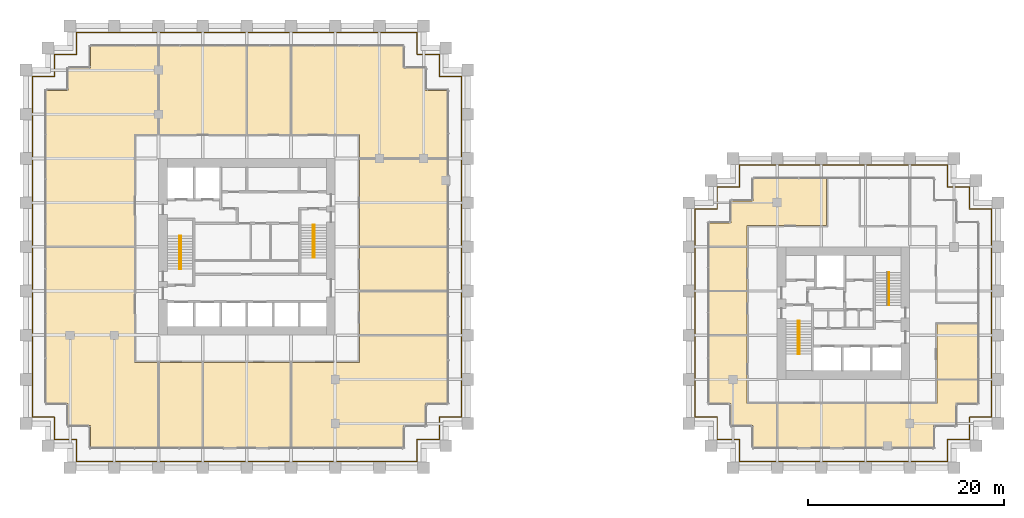
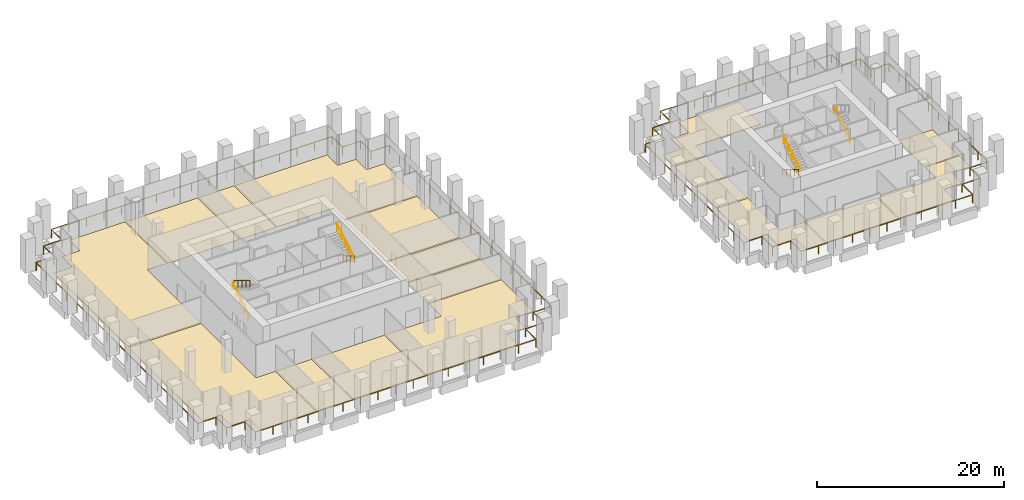
# One storey, part 35 of 36: 18 coverings, 9 railings.
"""IFC4 building model written with IfcOpenShell, lengths in metres."""

from ifc_helpers import new_model, si_unit, direction, frame, origin, origin_2d, place, context, subcontext, project, spatial, polyline, circle, outline, extrude, source, transform, mapped, material, layer, layer_set, type_object, element, save


model = new_model("IFC4")

# Units and contexts
model_context = context("Model", 3, precision=1e-05, world=origin(), true_north=direction((0.0, 1.0)))
body_context = subcontext(model_context, "Body", "Model", "MODEL_VIEW")
ifc_project = project(units=[si_unit("LENGTHUNIT", "METRE"), si_unit("AREAUNIT", "SQUARE_METRE"), si_unit("VOLUMEUNIT", "CUBIC_METRE"), si_unit("PLANEANGLEUNIT", "RADIAN"), si_unit("MASSUNIT", "GRAM", prefix="KILO")], contexts=[model_context])

# Site, building, storey
site_placement = place(None, origin())
site = spatial("IfcSite", under=ifc_project, at=site_placement, CompositionType="ELEMENT")
building_placement = place(site_placement, origin())
building = spatial("IfcBuilding", under=site, at=building_placement, Name="Altepetl Exchange Towers", CompositionType="ELEMENT")
storey_placement = place(building_placement, frame((0.0, 0.0, 38.60009765625)))
storey = spatial("IfcBuildingStorey", under=building, at=storey_placement, Name="L08", CompositionType="ELEMENT", Elevation=38.60009765625)

# Coverings
ifc_material_1 = material(Name="Carpet tile")
ifc_layer_1 = layer(ifc_material_1, 0.02001953125)
ifc_layer_set_1 = layer_set([ifc_layer_1], Name="Carpet tile")
covering_type_1 = type_object("IfcCoveringType", Name="Carpet tile floor", PredefinedType="FLOORING", material=ifc_layer_set_1)
covering_1_placement = place(storey_placement, origin())
element("IfcCovering", 1, at=covering_1_placement, inside=storey, type_object=covering_type_1, Name="Open office floor finish A08.01", PredefinedType="FLOORING", context=body_context, shape_type="SweptSolid", body=[
    extrude(outline(polyline([(40.4375, 29.0625), (40.4375, 37.737548828125), (38.03759765625, 37.737548828125), (38.03759765625, 49.4375), (29.0625, 49.4375), (29.0625, 33.5625), (31.3125, 33.5625), (31.3125, 31.3125), (33.5625, 31.3125), (33.5625, 29.0625), (40.4375, 29.0625)])), origin(), (0.0, 0.0, 1.0), 0.02001953125),
])
covering_2_placement = place(storey_placement, origin())
element("IfcCovering", 2, at=covering_2_placement, inside=storey, type_object=covering_type_1, Name="Pantry floor finish A08.02", PredefinedType="FLOORING", context=body_context, shape_type="SweptSolid", body=[
    extrude(outline(polyline([(44.9375, 29.0625), (44.9375, 37.737548828125), (40.5625, 37.737548828125), (40.5625, 29.0625), (44.9375, 29.0625)])), origin(), (0.0, 0.0, 1.0), 0.02001953125),
])
covering_3_placement = place(storey_placement, origin())
element("IfcCovering", 3, at=covering_3_placement, inside=storey, type_object=covering_type_1, Name="Huddle room floor finish A08.03", PredefinedType="FLOORING", context=body_context, shape_type="SweptSolid", body=[
    extrude(outline(polyline([(53.9375, 29.0625), (53.9375, 37.737548828125), (45.0625, 37.737548828125), (45.0625, 29.0625), (53.9375, 29.0625)])), origin(), (0.0, 0.0, 1.0), 0.02001953125),
])
covering_4_placement = place(storey_placement, origin())
element("IfcCovering", 4, at=covering_4_placement, inside=storey, type_object=covering_type_1, Name="Pantry floor finish A08.05", PredefinedType="FLOORING", context=body_context, shape_type="SweptSolid", body=[
    extrude(outline(polyline([(69.9375, 44.9375), (60.96240234375, 44.9375), (60.96240234375, 40.5625), (69.9375, 40.5625), (69.9375, 44.9375)])), origin(), (0.0, 0.0, 1.0), 0.02001953125),
])
covering_5_placement = place(storey_placement, origin())
element("IfcCovering", 5, at=covering_5_placement, inside=storey, type_object=covering_type_1, Name="Quiet room floor finish A08.06", PredefinedType="FLOORING", context=body_context, shape_type="SweptSolid", body=[
    extrude(outline(polyline([(69.9375, 49.4375), (60.96240234375, 49.4375), (60.96240234375, 45.0625), (69.9375, 45.0625), (69.9375, 49.4375)])), origin(), (0.0, 0.0, 1.0), 0.02001953125),
])
covering_6_placement = place(storey_placement, origin())
element("IfcCovering", 6, at=covering_6_placement, inside=storey, type_object=covering_type_1, Name="Huddle room floor finish A08.07", PredefinedType="FLOORING", context=body_context, shape_type="SweptSolid", body=[
    extrude(outline(polyline([(69.9375, 58.4375), (60.96240234375, 58.4375), (60.96240234375, 49.5625), (69.9375, 49.5625), (69.9375, 58.4375)])), origin(), (0.0, 0.0, 1.0), 0.02001953125),
])
covering_7_placement = place(storey_placement, origin())
element("IfcCovering", 7, at=covering_7_placement, inside=storey, type_object=covering_type_1, Name="Pantry floor finish A08.09", PredefinedType="FLOORING", context=body_context, shape_type="SweptSolid", body=[
    extrude(outline(polyline([(49.5625, 69.9375), (49.5625, 60.96240234375), (53.9375, 60.96240234375), (53.9375, 69.9375), (49.5625, 69.9375)])), origin(), (0.0, 0.0, 1.0), 0.02001953125),
])
covering_8_placement = place(storey_placement, origin())
element("IfcCovering", 8, at=covering_8_placement, inside=storey, type_object=covering_type_1, Name="Meeting room floor finish A08.10", PredefinedType="FLOORING", context=body_context, shape_type="SweptSolid", body=[
    extrude(outline(polyline([(40.5625, 69.9375), (40.5625, 60.96240234375), (49.4375, 60.96240234375), (49.4375, 69.9375), (40.5625, 69.9375)])), origin(), (0.0, 0.0, 1.0), 0.02001953125),
])
covering_9_placement = place(storey_placement, origin())
element("IfcCovering", 9, at=covering_9_placement, inside=storey, type_object=covering_type_1, Name="Interview room floor finish B08.01", PredefinedType="FLOORING", context=body_context, shape_type="SweptSolid", body=[
    extrude(outline(polyline([(100.4375, 40.4375), (96.5625, 40.4375), (96.5625, 33.5625), (98.8125, 33.5625), (98.8125, 31.3125), (101.0625, 31.3125), (101.0625, 29.0625), (103.4375, 29.0625), (103.4375, 33.53759765625), (100.4375, 33.53759765625), (100.4375, 40.4375)])), origin(), (0.0, 0.0, 1.0), 0.02001953125),
])
covering_10_placement = place(storey_placement, origin())
element("IfcCovering", 10, at=covering_10_placement, inside=storey, type_object=covering_type_1, Name="Meeting room floor finish B08.02", PredefinedType="FLOORING", context=body_context, shape_type="SweptSolid", body=[
    extrude(outline(polyline([(103.5625, 33.53759765625), (103.5625, 29.0625), (112.4375, 29.0625), (112.4375, 33.53759765625), (103.5625, 33.53759765625)])), origin(), (0.0, 0.0, 1.0), 0.02001953125),
])
covering_11_placement = place(storey_placement, origin())
element("IfcCovering", 11, at=covering_11_placement, inside=storey, type_object=covering_type_1, Name="Quiet room floor finish B08.04", PredefinedType="FLOORING", context=body_context, shape_type="SweptSolid", body=[
    extrude(outline(polyline([(119.762451171875, 41.637451171875), (119.762451171875, 36.0625), (123.9375, 36.0625), (123.9375, 41.637451171875), (119.762451171875, 41.637451171875)])), origin(), (0.0, 0.0, 1.0), 0.02001953125),
])
covering_12_placement = place(storey_placement, origin())
element("IfcCovering", 12, at=covering_12_placement, inside=storey, type_object=covering_type_1, Name="Pantry floor finish B08.08", PredefinedType="FLOORING", context=body_context, shape_type="SweptSolid", body=[
    extrude(outline(polyline([(100.4375, 49.4375), (96.5625, 49.4375), (96.5625, 45.0625), (100.4375, 45.0625), (100.4375, 49.4375)])), origin(), (0.0, 0.0, 1.0), 0.02001953125),
])
covering_13_placement = place(storey_placement, origin())
element("IfcCovering", 13, at=covering_13_placement, inside=storey, type_object=covering_type_1, Name="Pantry floor finish B08.09", PredefinedType="FLOORING", context=body_context, shape_type="SweptSolid", body=[
    extrude(outline(polyline([(100.4375, 44.9375), (96.5625, 44.9375), (96.5625, 40.5625), (100.4375, 40.5625), (100.4375, 44.9375)])), origin(), (0.0, 0.0, 1.0), 0.02001953125),
])
ifc_material_2 = material(Name="Calcium sulphate access floor panel")
ifc_layer_2 = layer(ifc_material_2, 0.0400390625)
ifc_layer_set_2 = layer_set([ifc_layer_2], Name="Calcium sulphate access floor panel")
covering_type_2 = type_object("IfcCoveringType", Name="Raised access floor panels", PredefinedType="FLOORING", material=ifc_layer_set_2)
covering_14_placement = place(storey_placement, origin())
element("IfcCovering", 14, at=covering_14_placement, inside=storey, type_object=covering_type_2, Name="Trading office floor finish A08.04", PredefinedType="FLOORING", context=body_context, shape_type="SweptSolid", body=[
    extrude(outline(polyline([(69.9375, 40.4375), (60.96240234375, 40.4375), (60.96240234375, 37.737548828125), (54.0625, 37.737548828125), (54.0625, 29.0625), (65.4375, 29.0625), (65.4375, 31.3125), (67.6875, 31.3125), (67.6875, 33.5625), (69.9375, 33.5625), (69.9375, 40.4375)])), origin(), (0.0, 0.0, 1.0), 0.039794921875),
])
covering_15_placement = place(storey_placement, origin())
element("IfcCovering", 15, at=covering_15_placement, inside=storey, type_object=covering_type_2, Name="Broker office floor finish A08.08", PredefinedType="FLOORING", context=body_context, shape_type="SweptSolid", body=[
    extrude(outline(polyline([(54.0625, 69.9375), (54.0625, 60.96240234375), (60.96240234375, 60.96240234375), (60.96240234375, 58.5625), (69.9375, 58.5625), (69.9375, 65.4375), (67.6875, 65.4375), (67.6875, 67.6875), (65.4375, 67.6875), (65.4375, 69.9375), (54.0625, 69.9375)])), origin(), (0.0, 0.0, 1.0), 0.039794921875),
])
covering_16_placement = place(storey_placement, origin())
element("IfcCovering", 16, at=covering_16_placement, inside=storey, type_object=covering_type_2, Name="Dealing office floor finish A08.11", PredefinedType="FLOORING", context=body_context, shape_type="SweptSolid", body=[
    extrude(outline(polyline([(33.5625, 69.9375), (33.5625, 67.6875), (31.3125, 67.6875), (31.3125, 65.4375), (29.0625, 65.4375), (29.0625, 49.5625), (38.03759765625, 49.5625), (38.03759765625, 60.96240234375), (40.4375, 60.96240234375), (40.4375, 69.9375), (33.5625, 69.9375)])), origin(), (0.0, 0.0, 1.0), 0.039794921875),
])
covering_17_placement = place(storey_placement, origin())
element("IfcCovering", 17, at=covering_17_placement, inside=storey, type_object=covering_type_2, Name="Trading office floor finish B08.03", PredefinedType="FLOORING", context=body_context, shape_type="SweptSolid", body=[
    extrude(outline(polyline([(112.5625, 33.53759765625), (112.5625, 29.0625), (119.4375, 29.0625), (119.4375, 31.3125), (121.6875, 31.3125), (121.6875, 33.5625), (123.9375, 33.5625), (123.9375, 35.9375), (119.762451171875, 35.9375), (119.762451171875, 33.53759765625), (112.5625, 33.53759765625)])), origin(), (0.0, 0.0, 1.0), 0.039794921875),
])
covering_18_placement = place(storey_placement, origin())
element("IfcCovering", 18, at=covering_18_placement, inside=storey, type_object=covering_type_2, Name="Broker office floor finish B08.07", PredefinedType="FLOORING", context=body_context, shape_type="SweptSolid", body=[
    extrude(outline(polyline([(108.53759765625, 51.66259765625), (108.53759765625, 56.4375), (101.0625, 56.4375), (101.0625, 54.1875), (98.8125, 54.1875), (98.8125, 51.9375), (96.5625, 51.9375), (96.5625, 49.5625), (100.4375, 49.5625), (100.4375, 51.66259765625), (108.53759765625, 51.66259765625)])), origin(), (0.0, 0.0, 1.0), 0.039794921875),
])

# Railings
ifc_material_3 = material(Name="Steel S355", Category="steel")
railing_type_1 = type_object("IfcRailingType", Name="Guard 1100 steel posts and rail", PredefinedType="GUARDRAIL", material=ifc_material_3)
shared_shape_1 = source(origin(), body_context, "Body", "SweptSolid", [
    extrude(circle(Radius=0.02099609375, at=origin_2d()), origin(), (0.0, 0.0, 1.0), 1.052001953125),
])
railing_1_placement = place(storey_placement, frame((27.64990234375, 66.85009765625, 0.0)))
element("IfcRailing", 19, at=railing_1_placement, inside=storey, type_object=railing_type_1, Name="Loggia guard", PredefinedType="GUARDRAIL", context=body_context, shape_type="SweptSolid", body=[
    extrude(circle(Radius=0.02392578125, at=origin_2d()), frame((0.0, 0.0, 1.076171875), z_axis=(0.0, -1.0, 0.0), x_axis=(1.0, 0.0, 0.0)), (0.0, 0.0, 1.0), 34.7001953125),
    extrude(circle(Radius=0.02392578125, at=origin_2d()), frame((0.0, -34.7001953125, 1.076171875), z_axis=(1.0, 0.0, 0.0), x_axis=(0.0, 1.0, 0.0)), (0.0, 0.0, 1.0), 2.25),
    extrude(circle(Radius=0.02392578125, at=origin_2d()), frame((2.25, -34.7001953125, 1.076171875), z_axis=(0.0, -1.0, 0.0), x_axis=(1.0, 0.0, 0.0)), (0.0, 0.0, 1.0), 2.25),
    extrude(circle(Radius=0.02392578125, at=origin_2d()), frame((2.25, -36.9501953125, 1.076171875), z_axis=(1.0, 0.0, 0.0), x_axis=(0.0, 1.0, 0.0)), (0.0, 0.0, 1.0), 2.25),
    extrude(circle(Radius=0.02392578125, at=origin_2d()), frame((4.5, -36.9501953125, 1.076171875), z_axis=(0.0, -1.0, 0.0), x_axis=(1.0, 0.0, 0.0)), (0.0, 0.0, 1.0), 2.25),
    extrude(circle(Radius=0.02392578125, at=origin_2d()), frame((4.5, -39.2001953125, 1.076171875), z_axis=(1.0, 0.0, 0.0), x_axis=(0.0, 1.0, 0.0)), (0.0, 0.0, 1.0), 34.7001953125),
    extrude(circle(Radius=0.02392578125, at=origin_2d()), frame((39.2001953125, -39.2001953125, 1.076171875), z_axis=(0.0, 1.0, 0.0), x_axis=(-1.0, 0.0, 0.0)), (0.0, 0.0, 1.0), 2.25),
    extrude(circle(Radius=0.02392578125, at=origin_2d()), frame((39.2001953125, -36.9501953125, 1.076171875), z_axis=(1.0, 0.0, 0.0), x_axis=(0.0, 1.0, 0.0)), (0.0, 0.0, 1.0), 2.25),
    extrude(circle(Radius=0.02392578125, at=origin_2d()), frame((41.4501953125, -36.9501953125, 1.076171875), z_axis=(0.0, 1.0, 0.0), x_axis=(-1.0, 0.0, 0.0)), (0.0, 0.0, 1.0), 2.25),
    extrude(circle(Radius=0.02392578125, at=origin_2d()), frame((41.4501953125, -34.7001953125, 1.076171875), z_axis=(1.0, 0.0, 0.0), x_axis=(0.0, 1.0, 0.0)), (0.0, 0.0, 1.0), 2.25),
    extrude(circle(Radius=0.02392578125, at=origin_2d()), frame((43.7001953125, -34.7001953125, 1.076171875), z_axis=(0.0, 1.0, 0.0), x_axis=(-1.0, 0.0, 0.0)), (0.0, 0.0, 1.0), 34.7001953125),
    extrude(circle(Radius=0.02392578125, at=origin_2d()), frame((43.7001953125, 0.0, 1.076171875), z_axis=(-1.0, 0.0, 0.0), x_axis=(0.0, -1.0, 0.0)), (0.0, 0.0, 1.0), 2.25),
    extrude(circle(Radius=0.02392578125, at=origin_2d()), frame((41.4501953125, 0.0, 1.076171875), z_axis=(0.0, 1.0, 0.0), x_axis=(-1.0, 0.0, 0.0)), (0.0, 0.0, 1.0), 2.25),
    extrude(circle(Radius=0.02392578125, at=origin_2d()), frame((41.4501953125, 2.25, 1.076171875), z_axis=(-1.0, 0.0, 0.0), x_axis=(0.0, -1.0, 0.0)), (0.0, 0.0, 1.0), 2.25),
    extrude(circle(Radius=0.02392578125, at=origin_2d()), frame((39.2001953125, 2.25, 1.076171875), z_axis=(0.0, 1.0, 0.0), x_axis=(-1.0, 0.0, 0.0)), (0.0, 0.0, 1.0), 2.25),
    extrude(circle(Radius=0.02392578125, at=origin_2d()), frame((39.2001953125, 4.5, 1.076171875), z_axis=(-1.0, 0.0, 0.0), x_axis=(0.0, -1.0, 0.0)), (0.0, 0.0, 1.0), 34.7001953125),
    extrude(circle(Radius=0.02392578125, at=origin_2d()), frame((4.5, 4.5, 1.076171875), z_axis=(0.0, -1.0, 0.0), x_axis=(1.0, 0.0, 0.0)), (0.0, 0.0, 1.0), 2.25),
    extrude(circle(Radius=0.02392578125, at=origin_2d()), frame((4.5, 2.25, 1.076171875), z_axis=(-1.0, 0.0, 0.0), x_axis=(0.0, -1.0, 0.0)), (0.0, 0.0, 1.0), 2.25),
    extrude(circle(Radius=0.02392578125, at=origin_2d()), frame((2.25, 2.25, 1.076171875), z_axis=(0.0, -1.0, 0.0), x_axis=(1.0, 0.0, 0.0)), (0.0, 0.0, 1.0), 2.25),
    extrude(circle(Radius=0.02392578125, at=origin_2d()), frame((2.25, 0.0, 1.076171875), z_axis=(-1.0, 0.0, 0.0), x_axis=(0.0, -1.0, 0.0)), (0.0, 0.0, 1.0), 2.14990234375),
    mapped(shared_shape_1, transform((0.0, 0.0, 0.0))),
    mapped(shared_shape_1, transform((0.0, -2.168701171875, 0.0))),
    mapped(shared_shape_1, transform((0.0, -4.33740234375, 0.0))),
    mapped(shared_shape_1, transform((0.0, -6.50634765625, 0.0))),
    mapped(shared_shape_1, transform((0.0, -8.675048828125, 0.0))),
    mapped(shared_shape_1, transform((0.0, -10.84375, 0.0))),
    mapped(shared_shape_1, transform((0.0, -13.0126953125, 0.0))),
    mapped(shared_shape_1, transform((0.0, -15.181396484375, 0.0))),
    mapped(shared_shape_1, transform((0.0, -17.35009765625, 0.0))),
    mapped(shared_shape_1, transform((0.0, -19.518798828125, 0.0))),
    mapped(shared_shape_1, transform((0.0, -21.6875, 0.0))),
    mapped(shared_shape_1, transform((0.0, -23.8564453125, 0.0))),
    mapped(shared_shape_1, transform((0.0, -26.025146484375, 0.0))),
    mapped(shared_shape_1, transform((0.0, -28.19384765625, 0.0))),
    mapped(shared_shape_1, transform((0.0, -30.36279296875, 0.0))),
    mapped(shared_shape_1, transform((0.0, -32.531494140625, 0.0))),
    mapped(shared_shape_1, transform((0.0, -34.7001953125, 0.0))),
    mapped(shared_shape_1, transform((2.25, -34.7001953125, 0.0))),
    mapped(shared_shape_1, transform((2.25, -36.9501953125, 0.0))),
    mapped(shared_shape_1, transform((4.5, -36.9501953125, 0.0))),
    mapped(shared_shape_1, transform((4.5, -39.2001953125, 0.0))),
    mapped(shared_shape_1, transform((6.668701171875, -39.2001953125, 0.0))),
    mapped(shared_shape_1, transform((8.83740234375, -39.2001953125, 0.0))),
    mapped(shared_shape_1, transform((11.00634765625, -39.2001953125, 0.0))),
    mapped(shared_shape_1, transform((13.175048828125, -39.2001953125, 0.0))),
    mapped(shared_shape_1, transform((15.34375, -39.2001953125, 0.0))),
    mapped(shared_shape_1, transform((17.5126953125, -39.2001953125, 0.0))),
    mapped(shared_shape_1, transform((19.681396484375, -39.2001953125, 0.0))),
    mapped(shared_shape_1, transform((21.85009765625, -39.2001953125, 0.0))),
    mapped(shared_shape_1, transform((24.018798828125, -39.2001953125, 0.0))),
    mapped(shared_shape_1, transform((26.1875, -39.2001953125, 0.0))),
    mapped(shared_shape_1, transform((28.3564453125, -39.2001953125, 0.0))),
    mapped(shared_shape_1, transform((30.525146484375, -39.2001953125, 0.0))),
    mapped(shared_shape_1, transform((32.69384765625, -39.2001953125, 0.0))),
    mapped(shared_shape_1, transform((34.86279296875, -39.2001953125, 0.0))),
    mapped(shared_shape_1, transform((37.031494140625, -39.2001953125, 0.0))),
    mapped(shared_shape_1, transform((39.2001953125, -39.2001953125, 0.0))),
    mapped(shared_shape_1, transform((39.2001953125, -36.9501953125, 0.0))),
    mapped(shared_shape_1, transform((41.4501953125, -36.9501953125, 0.0))),
    mapped(shared_shape_1, transform((41.4501953125, -34.7001953125, 0.0))),
    mapped(shared_shape_1, transform((43.7001953125, -34.7001953125, 0.0))),
    mapped(shared_shape_1, transform((43.7001953125, -32.531494140625, 0.0))),
    mapped(shared_shape_1, transform((43.7001953125, -30.36279296875, 0.0))),
    mapped(shared_shape_1, transform((43.7001953125, -28.19384765625, 0.0))),
    mapped(shared_shape_1, transform((43.7001953125, -26.025146484375, 0.0))),
    mapped(shared_shape_1, transform((43.7001953125, -23.8564453125, 0.0))),
    mapped(shared_shape_1, transform((43.7001953125, -21.6875, 0.0))),
    mapped(shared_shape_1, transform((43.7001953125, -19.518798828125, 0.0))),
    mapped(shared_shape_1, transform((43.7001953125, -17.35009765625, 0.0))),
    mapped(shared_shape_1, transform((43.7001953125, -15.181396484375, 0.0))),
    mapped(shared_shape_1, transform((43.7001953125, -13.0126953125, 0.0))),
    mapped(shared_shape_1, transform((43.7001953125, -10.84375, 0.0))),
    mapped(shared_shape_1, transform((43.7001953125, -8.675048828125, 0.0))),
    mapped(shared_shape_1, transform((43.7001953125, -6.50634765625, 0.0))),
    mapped(shared_shape_1, transform((43.7001953125, -4.33740234375, 0.0))),
    mapped(shared_shape_1, transform((43.7001953125, -2.168701171875, 0.0))),
    mapped(shared_shape_1, transform((43.7001953125, 0.0, 0.0))),
    mapped(shared_shape_1, transform((41.4501953125, 0.0, 0.0))),
    mapped(shared_shape_1, transform((41.4501953125, 2.25, 0.0))),
    mapped(shared_shape_1, transform((39.2001953125, 2.25, 0.0))),
    mapped(shared_shape_1, transform((39.2001953125, 4.5, 0.0))),
    mapped(shared_shape_1, transform((37.031494140625, 4.5, 0.0))),
    mapped(shared_shape_1, transform((34.86279296875, 4.5, 0.0))),
    mapped(shared_shape_1, transform((32.69384765625, 4.5, 0.0))),
    mapped(shared_shape_1, transform((30.525146484375, 4.5, 0.0))),
    mapped(shared_shape_1, transform((28.3564453125, 4.5, 0.0))),
    mapped(shared_shape_1, transform((26.1875, 4.5, 0.0))),
    mapped(shared_shape_1, transform((24.018798828125, 4.5, 0.0))),
    mapped(shared_shape_1, transform((21.85009765625, 4.5, 0.0))),
    mapped(shared_shape_1, transform((19.681396484375, 4.5, 0.0))),
    mapped(shared_shape_1, transform((17.5126953125, 4.5, 0.0))),
    mapped(shared_shape_1, transform((15.34375, 4.5, 0.0))),
    mapped(shared_shape_1, transform((13.175048828125, 4.5, 0.0))),
    mapped(shared_shape_1, transform((11.00634765625, 4.5, 0.0))),
    mapped(shared_shape_1, transform((8.83740234375, 4.5, 0.0))),
    mapped(shared_shape_1, transform((6.668701171875, 4.5, 0.0))),
    mapped(shared_shape_1, transform((4.5, 4.5, 0.0))),
    mapped(shared_shape_1, transform((4.5, 2.25, 0.0))),
    mapped(shared_shape_1, transform((2.25, 2.25, 0.0))),
    mapped(shared_shape_1, transform((2.25, 0.0, 0.0))),
    mapped(shared_shape_1, transform((0.10009765625, 0.0, 0.0))),
])
railing_2_placement = place(storey_placement, frame((95.14990234375, 53.35009765625, 0.0)))
element("IfcRailing", 20, at=railing_2_placement, inside=storey, type_object=railing_type_1, Name="Loggia guard", PredefinedType="GUARDRAIL", context=body_context, shape_type="SweptSolid", body=[
    extrude(circle(Radius=0.02392578125, at=origin_2d()), frame((0.0, 0.0, 1.076171875), z_axis=(0.0, -1.0, 0.0), x_axis=(1.0, 0.0, 0.0)), (0.0, 0.0, 1.0), 21.2001953125),
    extrude(circle(Radius=0.02392578125, at=origin_2d()), frame((0.0, -21.2001953125, 1.076171875), z_axis=(1.0, 0.0, 0.0), x_axis=(0.0, 1.0, 0.0)), (0.0, 0.0, 1.0), 2.25),
    extrude(circle(Radius=0.02392578125, at=origin_2d()), frame((2.25, -21.2001953125, 1.076171875), z_axis=(0.0, -1.0, 0.0), x_axis=(1.0, 0.0, 0.0)), (0.0, 0.0, 1.0), 2.25),
    extrude(circle(Radius=0.02392578125, at=origin_2d()), frame((2.25, -23.4501953125, 1.076171875), z_axis=(1.0, 0.0, 0.0), x_axis=(0.0, 1.0, 0.0)), (0.0, 0.0, 1.0), 2.25),
    extrude(circle(Radius=0.02392578125, at=origin_2d()), frame((4.5, -23.4501953125, 1.076171875), z_axis=(0.0, -1.0, 0.0), x_axis=(1.0, 0.0, 0.0)), (0.0, 0.0, 1.0), 2.25),
    extrude(circle(Radius=0.02392578125, at=origin_2d()), frame((4.5, -25.7001953125, 1.076171875), z_axis=(1.0, 0.0, 0.0), x_axis=(0.0, 1.0, 0.0)), (0.0, 0.0, 1.0), 21.2001953125),
    extrude(circle(Radius=0.02392578125, at=origin_2d()), frame((25.7001953125, -25.7001953125, 1.076171875), z_axis=(0.0, 1.0, 0.0), x_axis=(-1.0, 0.0, 0.0)), (0.0, 0.0, 1.0), 2.25),
    extrude(circle(Radius=0.02392578125, at=origin_2d()), frame((25.7001953125, -23.4501953125, 1.076171875), z_axis=(1.0, 0.0, 0.0), x_axis=(0.0, 1.0, 0.0)), (0.0, 0.0, 1.0), 2.25),
    extrude(circle(Radius=0.02392578125, at=origin_2d()), frame((27.9501953125, -23.4501953125, 1.076171875), z_axis=(0.0, 1.0, 0.0), x_axis=(-1.0, 0.0, 0.0)), (0.0, 0.0, 1.0), 2.25),
    extrude(circle(Radius=0.02392578125, at=origin_2d()), frame((27.9501953125, -21.2001953125, 1.076171875), z_axis=(1.0, 0.0, 0.0), x_axis=(0.0, 1.0, 0.0)), (0.0, 0.0, 1.0), 2.25),
    extrude(circle(Radius=0.02392578125, at=origin_2d()), frame((30.2001953125, -21.2001953125, 1.076171875), z_axis=(0.0, 1.0, 0.0), x_axis=(-1.0, 0.0, 0.0)), (0.0, 0.0, 1.0), 21.2001953125),
    extrude(circle(Radius=0.02392578125, at=origin_2d()), frame((30.2001953125, 0.0, 1.076171875), z_axis=(-1.0, 0.0, 0.0), x_axis=(0.0, -1.0, 0.0)), (0.0, 0.0, 1.0), 2.25),
    extrude(circle(Radius=0.02392578125, at=origin_2d()), frame((27.9501953125, 0.0, 1.076171875), z_axis=(0.0, 1.0, 0.0), x_axis=(-1.0, 0.0, 0.0)), (0.0, 0.0, 1.0), 2.25),
    extrude(circle(Radius=0.02392578125, at=origin_2d()), frame((27.9501953125, 2.25, 1.076171875), z_axis=(-1.0, 0.0, 0.0), x_axis=(0.0, -1.0, 0.0)), (0.0, 0.0, 1.0), 2.25),
    extrude(circle(Radius=0.02392578125, at=origin_2d()), frame((25.7001953125, 2.25, 1.076171875), z_axis=(0.0, 1.0, 0.0), x_axis=(-1.0, 0.0, 0.0)), (0.0, 0.0, 1.0), 2.25),
    extrude(circle(Radius=0.02392578125, at=origin_2d()), frame((25.7001953125, 4.5, 1.076171875), z_axis=(-1.0, 0.0, 0.0), x_axis=(0.0, -1.0, 0.0)), (0.0, 0.0, 1.0), 21.2001953125),
    extrude(circle(Radius=0.02392578125, at=origin_2d()), frame((4.5, 4.5, 1.076171875), z_axis=(0.0, -1.0, 0.0), x_axis=(1.0, 0.0, 0.0)), (0.0, 0.0, 1.0), 2.25),
    extrude(circle(Radius=0.02392578125, at=origin_2d()), frame((4.5, 2.25, 1.076171875), z_axis=(-1.0, 0.0, 0.0), x_axis=(0.0, -1.0, 0.0)), (0.0, 0.0, 1.0), 2.25),
    extrude(circle(Radius=0.02392578125, at=origin_2d()), frame((2.25, 2.25, 1.076171875), z_axis=(0.0, -1.0, 0.0), x_axis=(1.0, 0.0, 0.0)), (0.0, 0.0, 1.0), 2.25),
    extrude(circle(Radius=0.02392578125, at=origin_2d()), frame((2.25, 0.0, 1.076171875), z_axis=(-1.0, 0.0, 0.0), x_axis=(0.0, -1.0, 0.0)), (0.0, 0.0, 1.0), 2.14990234375),
    mapped(shared_shape_1, transform((0.0, 0.0, 0.0))),
    mapped(shared_shape_1, transform((0.0, -2.1201171875, 0.0))),
    mapped(shared_shape_1, transform((0.0, -4.239990234375, 0.0))),
    mapped(shared_shape_1, transform((0.0, -6.360107421875, 0.0))),
    mapped(shared_shape_1, transform((0.0, -8.47998046875, 0.0))),
    mapped(shared_shape_1, transform((0.0, -10.60009765625, 0.0))),
    mapped(shared_shape_1, transform((0.0, -12.72021484375, 0.0))),
    mapped(shared_shape_1, transform((0.0, -14.840087890625, 0.0))),
    mapped(shared_shape_1, transform((0.0, -16.960205078125, 0.0))),
    mapped(shared_shape_1, transform((0.0, -19.080078125, 0.0))),
    mapped(shared_shape_1, transform((0.0, -21.2001953125, 0.0))),
    mapped(shared_shape_1, transform((2.25, -21.2001953125, 0.0))),
    mapped(shared_shape_1, transform((2.25, -23.4501953125, 0.0))),
    mapped(shared_shape_1, transform((4.5, -23.4501953125, 0.0))),
    mapped(shared_shape_1, transform((4.5, -25.7001953125, 0.0))),
    mapped(shared_shape_1, transform((6.6201171875, -25.7001953125, 0.0))),
    mapped(shared_shape_1, transform((8.739990234375, -25.7001953125, 0.0))),
    mapped(shared_shape_1, transform((10.860107421875, -25.7001953125, 0.0))),
    mapped(shared_shape_1, transform((12.97998046875, -25.7001953125, 0.0))),
    mapped(shared_shape_1, transform((15.10009765625, -25.7001953125, 0.0))),
    mapped(shared_shape_1, transform((17.22021484375, -25.7001953125, 0.0))),
    mapped(shared_shape_1, transform((19.340087890625, -25.7001953125, 0.0))),
    mapped(shared_shape_1, transform((21.460205078125, -25.7001953125, 0.0))),
    mapped(shared_shape_1, transform((23.580078125, -25.7001953125, 0.0))),
    mapped(shared_shape_1, transform((25.7001953125, -25.7001953125, 0.0))),
    mapped(shared_shape_1, transform((25.7001953125, -23.4501953125, 0.0))),
    mapped(shared_shape_1, transform((27.9501953125, -23.4501953125, 0.0))),
    mapped(shared_shape_1, transform((27.9501953125, -21.2001953125, 0.0))),
    mapped(shared_shape_1, transform((30.2001953125, -21.2001953125, 0.0))),
    mapped(shared_shape_1, transform((30.2001953125, -19.080078125, 0.0))),
    mapped(shared_shape_1, transform((30.2001953125, -16.960205078125, 0.0))),
    mapped(shared_shape_1, transform((30.2001953125, -14.840087890625, 0.0))),
    mapped(shared_shape_1, transform((30.2001953125, -12.72021484375, 0.0))),
    mapped(shared_shape_1, transform((30.2001953125, -10.60009765625, 0.0))),
    mapped(shared_shape_1, transform((30.2001953125, -8.47998046875, 0.0))),
    mapped(shared_shape_1, transform((30.2001953125, -6.360107421875, 0.0))),
    mapped(shared_shape_1, transform((30.2001953125, -4.239990234375, 0.0))),
    mapped(shared_shape_1, transform((30.2001953125, -2.1201171875, 0.0))),
    mapped(shared_shape_1, transform((30.2001953125, 0.0, 0.0))),
    mapped(shared_shape_1, transform((27.9501953125, 0.0, 0.0))),
    mapped(shared_shape_1, transform((27.9501953125, 2.25, 0.0))),
    mapped(shared_shape_1, transform((25.7001953125, 2.25, 0.0))),
    mapped(shared_shape_1, transform((25.7001953125, 4.5, 0.0))),
    mapped(shared_shape_1, transform((23.580078125, 4.5, 0.0))),
    mapped(shared_shape_1, transform((21.460205078125, 4.5, 0.0))),
    mapped(shared_shape_1, transform((19.340087890625, 4.5, 0.0))),
    mapped(shared_shape_1, transform((17.22021484375, 4.5, 0.0))),
    mapped(shared_shape_1, transform((15.10009765625, 4.5, 0.0))),
    mapped(shared_shape_1, transform((12.97998046875, 4.5, 0.0))),
    mapped(shared_shape_1, transform((10.860107421875, 4.5, 0.0))),
    mapped(shared_shape_1, transform((8.739990234375, 4.5, 0.0))),
    mapped(shared_shape_1, transform((6.6201171875, 4.5, 0.0))),
    mapped(shared_shape_1, transform((4.5, 4.5, 0.0))),
    mapped(shared_shape_1, transform((4.5, 2.25, 0.0))),
    mapped(shared_shape_1, transform((2.25, 2.25, 0.0))),
    mapped(shared_shape_1, transform((2.25, 0.0, 0.0))),
    mapped(shared_shape_1, transform((0.10009765625, 0.0, 0.0))),
])
ifc_material_4 = material(Name="Steel", Category="steel")
railing_type_2 = type_object("IfcRailingType", Name="Stair handrail 50 steel tube", PredefinedType="HANDRAIL", material=ifc_material_4)
shared_shape_2 = source(origin(), body_context, "Body", "SweptSolid", [
    extrude(circle(Radius=0.02099609375, at=origin_2d()), origin(), (0.0, 0.0, 1.0), 0.851806640625),
])
railing_3_placement = place(storey_placement, frame((42.6201171875, 47.25, 0.169189453125)))
element("IfcRailing", 21, at=railing_3_placement, inside=storey, type_object=railing_type_2, Name="Stair handrail", PredefinedType="HANDRAIL", context=body_context, shape_type="SweptSolid", body=[
    extrude(circle(Radius=0.02392578125, at=origin_2d()), frame((0.0, 0.0, 0.8759765625), z_axis=(0.0, 0.855836976705, 0.517245656632), x_axis=(-1.0, 0.0, 0.0)), (0.0, 0.0, 1.0), 3.926025390625),
    mapped(shared_shape_2, transform((0.0, 0.0, 0.0))),
    mapped(shared_shape_2, transform((0.0, 0.840087890625, 0.5078125))),
    mapped(shared_shape_2, transform((0.0, 1.68017578125, 1.015380859375))),
    mapped(shared_shape_2, transform((0.0, 2.52001953125, 1.52294921875))),
    mapped(shared_shape_2, transform((0.0, 3.360107421875, 2.03076171875))),
])
for number, where, name in (
    (22, (42.780029296875, 50.610107421875, 2.369140625), "Stair handrail"),
    (23, (56.3798828125, 51.75, 0.169189453125), "Stair handrail"),
):
    element("IfcRailing", number, at=place(storey_placement, frame(where)), inside=storey, type_object=railing_type_2, Name=name, PredefinedType="HANDRAIL", context=body_context, shape_type="SweptSolid", body=[
        extrude(circle(Radius=0.02392578125, at=origin_2d()), frame((0.0, 0.0, 0.8759765625), z_axis=(0.0, -0.855836976705, 0.517245656632), x_axis=(1.0, 0.0, 0.0)), (0.0, 0.0, 1.0), 3.926025390625),
        mapped(shared_shape_2, transform((0.0, 0.0, 0.0))),
        mapped(shared_shape_2, transform((0.0, -0.840087890625, 0.5078125))),
        mapped(shared_shape_2, transform((0.0, -1.68017578125, 1.015380859375))),
        mapped(shared_shape_2, transform((0.0, -2.52001953125, 1.52294921875))),
        mapped(shared_shape_2, transform((0.0, -3.360107421875, 2.03076171875))),
    ])
railing_4_placement = place(storey_placement, frame((56.219970703125, 48.389892578125, 2.369140625)))
element("IfcRailing", 24, at=railing_4_placement, inside=storey, type_object=railing_type_2, Name="Stair handrail", PredefinedType="HANDRAIL", context=body_context, shape_type="SweptSolid", body=[
    extrude(circle(Radius=0.02392578125, at=origin_2d()), frame((0.0, 0.0, 0.8759765625), z_axis=(0.0, 0.855836976705, 0.517245656632), x_axis=(-1.0, 0.0, 0.0)), (0.0, 0.0, 1.0), 3.926025390625),
    mapped(shared_shape_2, transform((0.0, 0.0, 0.0))),
    mapped(shared_shape_2, transform((0.0, 0.840087890625, 0.5078125))),
    mapped(shared_shape_2, transform((0.0, 1.68017578125, 1.015380859375))),
    mapped(shared_shape_2, transform((0.0, 2.52001953125, 1.52294921875))),
    mapped(shared_shape_2, transform((0.0, 3.360107421875, 2.03076171875))),
])
railing_5_placement = place(storey_placement, frame((105.6201171875, 41.949951171875, 0.169189453125)))
element("IfcRailing", 25, at=railing_5_placement, inside=storey, type_object=railing_type_2, Name="Stair handrail", PredefinedType="HANDRAIL", context=body_context, shape_type="SweptSolid", body=[
    extrude(circle(Radius=0.02392578125, at=origin_2d()), frame((0.0, 0.0, 0.8759765625), z_axis=(0.0, -0.855820338506, 0.51727318527), x_axis=(1.0, 0.0, 0.0)), (0.0, 0.0, 1.0), 3.92578125),
    mapped(shared_shape_2, transform((0.0, 0.0, 0.0))),
    mapped(shared_shape_2, transform((0.0, -0.83984375, 0.5078125))),
    mapped(shared_shape_2, transform((0.0, -1.679931640625, 1.015380859375))),
    mapped(shared_shape_2, transform((0.0, -2.52001953125, 1.52294921875))),
    mapped(shared_shape_2, transform((0.0, -3.35986328125, 2.03076171875))),
])
for number, where, name in (
    (26, (105.780029296875, 38.590087890625, 2.369140625), "Stair handrail"),
    (27, (114.8798828125, 43.550048828125, 0.169189453125), "Stair handrail"),
):
    element("IfcRailing", number, at=place(storey_placement, frame(where)), inside=storey, type_object=railing_type_2, Name=name, PredefinedType="HANDRAIL", context=body_context, shape_type="SweptSolid", body=[
        extrude(circle(Radius=0.02392578125, at=origin_2d()), frame((0.0, 0.0, 0.8759765625), z_axis=(0.0, 0.855820338506, 0.51727318527), x_axis=(-1.0, 0.0, 0.0)), (0.0, 0.0, 1.0), 3.92578125),
        mapped(shared_shape_2, transform((0.0, 0.0, 0.0))),
        mapped(shared_shape_2, transform((0.0, 0.83984375, 0.5078125))),
        mapped(shared_shape_2, transform((0.0, 1.679931640625, 1.015380859375))),
        mapped(shared_shape_2, transform((0.0, 2.52001953125, 1.52294921875))),
        mapped(shared_shape_2, transform((0.0, 3.35986328125, 2.03076171875))),
    ])

save(model, "model.ifc")
